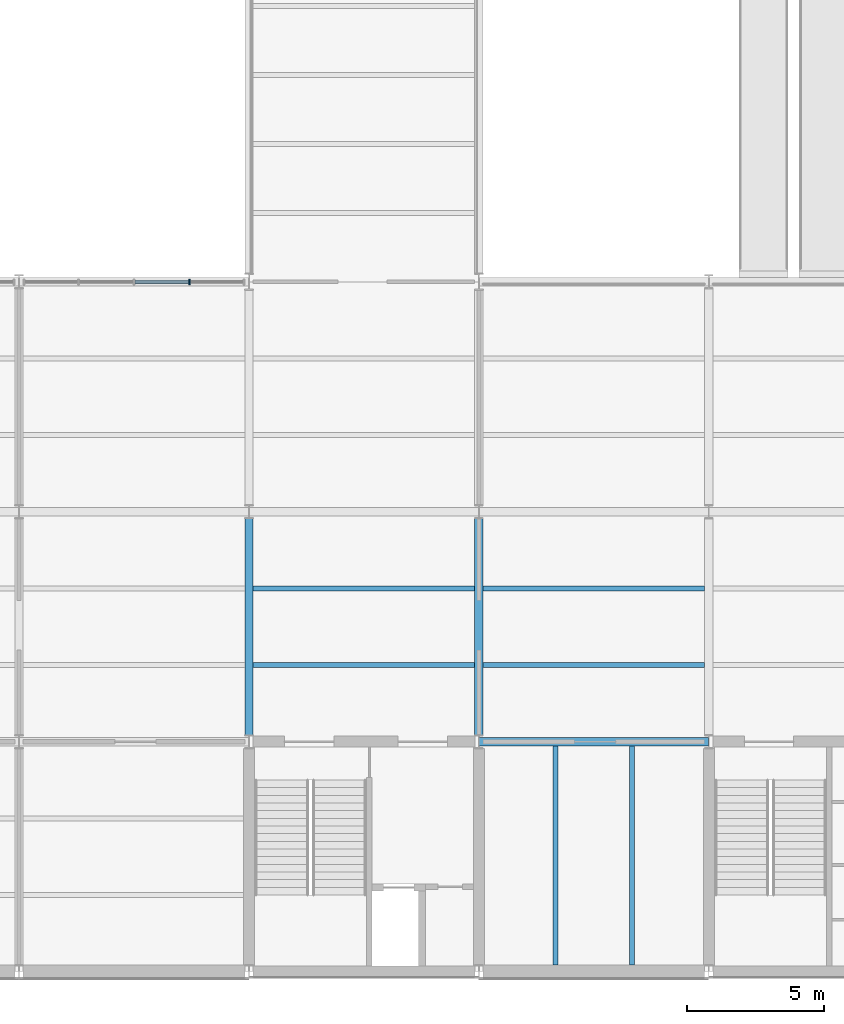
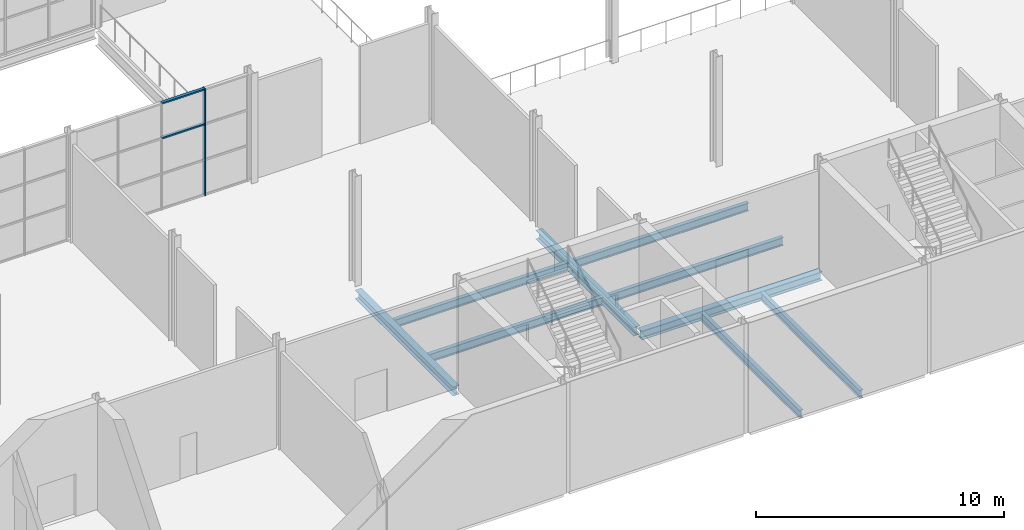
# One storey, part 13 of 64: 9 beams, 3 members, 1 element without a shape of its own.
"""IFC4 building model written with IfcOpenShell, lengths in metres."""

from ifc_helpers import new_model, si_unit, direction, frame, origin, origin_2d, place, context, subcontext, project, spatial, rectangle, i_section, extrude, material, layer, layer_set, material_profile, profile_set, type_object, element, aggregate, save


model = new_model("IFC4")

# Units and contexts
model_context = context("Model", 3, precision=1e-05, world=origin(), true_north=direction((0.0, 1.0)))
body_context = subcontext(model_context, "Body", "Model", "MODEL_VIEW")
ifc_project = project(units=[si_unit("LENGTHUNIT", "METRE"), si_unit("AREAUNIT", "SQUARE_METRE"), si_unit("VOLUMEUNIT", "CUBIC_METRE"), si_unit("PLANEANGLEUNIT", "RADIAN"), si_unit("MASSUNIT", "GRAM", prefix="KILO")], contexts=[model_context])

# Site, building, storey
site_placement = place(None, origin())
site = spatial("IfcSite", under=ifc_project, at=site_placement, CompositionType="ELEMENT")
building_placement = place(site_placement, origin())
building = spatial("IfcBuilding", under=site, at=building_placement, Name="Galleria Vessillo Department Store", CompositionType="ELEMENT")
storey_placement = place(building_placement, frame((0.0, 0.0, 6.0)))
storey = spatial("IfcBuildingStorey", under=building, at=storey_placement, Name="L01", CompositionType="ELEMENT", Elevation=6.0)

# Curtain wall, members
ifc_material_1 = material(Name="Aluminium and glass curtain wall", Category="aluminium")
ifc_layer = layer(ifc_material_1, 0.199951171875)
ifc_layer_set = layer_set([ifc_layer], Name="Aluminium and glass curtain wall")
curtain_wall_type = type_object("IfcCurtainWallType", Name="Arcade curtain wall CW1 2100 module", PredefinedType="NOTDEFINED", material=ifc_layer_set)
curtain_wall_placement = place(storey_placement, origin())
curtain_wall = element("IfcCurtainWall", 1, at=curtain_wall_placement, inside=storey, type_object=curtain_wall_type, Name="Arcade curtain wall CW1 2100 module AI-AW-S-L01-02", PredefinedType="NOTDEFINED")
ifc_material_2 = material(Name="Aluminium alloy 6063 T6", Category="aluminium")
ifc_material_profile_1 = material_profile(ifc_material_2, rectangle(XDim=0.199951171875, YDim=0.06005859375, at=origin_2d()), Name="AL 60x200")
ifc_profile_set_1 = profile_set([ifc_material_profile_1], Name="Aluminium alloy 6063 T6")
member_type_1 = type_object("IfcMemberType", Name="Aluminium mullion 60 x 200", PredefinedType="MULLION", material=ifc_profile_set_1)
member_1_placement = place(storey_placement, frame((31.423828125, 25.199951171875, 0.0), z_axis=(0.0, 0.0, 1.0), x_axis=(0.0, 1.0, 0.0)))
member_1 = element("IfcMember", 2, at=member_1_placement, type_object=member_type_1, Name="CW1 mullion 4", PredefinedType="MULLION", context=body_context, shape_type="SweptSolid", body=[
    extrude(rectangle(XDim=0.199951171875, YDim=0.06005859375, at=origin_2d()), origin(), (0.0, 0.0, 1.0), 5.25),
])
ifc_material_3 = material(Name="Aluminium alloy 6063 T6", Category="aluminium")
ifc_material_profile_2 = material_profile(ifc_material_3, rectangle(XDim=0.139892578125, YDim=0.070068359375, at=origin_2d()), Name="AL 70x140")
ifc_profile_set_2 = profile_set([ifc_material_profile_2], Name="Aluminium alloy 6063 T6")
member_type_2 = type_object("IfcMemberType", Name="Aluminium transom 70 x 140", PredefinedType="USERDEFINED", material=ifc_profile_set_2)
member_2_placement = place(storey_placement, frame((29.43017578125, 25.199951171875, 3.5), z_axis=(1.0, 0.0, 0.0), x_axis=(0.0, 1.0, 0.0)))
member_2 = element("IfcMember", 3, at=member_2_placement, type_object=member_type_2, Name="CW1 transom 3.3", ObjectType="TRANSOM", PredefinedType="USERDEFINED", context=body_context, shape_type="SweptSolid", body=[
    extrude(rectangle(XDim=0.139892578125, YDim=0.070068359375, at=origin_2d()), origin(), (0.0, 0.0, 1.0), 1.963623046875),
])
member_3_placement = place(storey_placement, frame((29.43017578125, 25.199951171875, 5.215087890625), z_axis=(1.0, 0.0, 0.0), x_axis=(0.0, 1.0, 0.0)))
member_3 = element("IfcMember", 4, at=member_3_placement, type_object=member_type_2, Name="CW1 transom 3.4", ObjectType="TRANSOM", PredefinedType="USERDEFINED", context=body_context, shape_type="SweptSolid", body=[
    extrude(rectangle(XDim=0.139892578125, YDim=0.070068359375, at=origin_2d()), origin(), (0.0, 0.0, 1.0), 1.963623046875),
])
aggregate(curtain_wall, [member_1, member_2, member_3])

# Beams
ifc_material_4 = material(Name="Steel S355 J2", Category="steel")
ifc_material_profile_3 = material_profile(ifc_material_4, i_section(OverallWidth=0.300048828125, OverallDepth=0.43994140625, WebThickness=0.011474609375, FlangeThickness=0.02099609375, FilletRadius=0.027099609375, at=origin_2d()), Name="HEA 450")
ifc_profile_set_3 = profile_set([ifc_material_profile_3], Name="Steel S355 J2")
beam_type_1 = type_object("IfcBeamType", Name="Floor girder HEA 450", PredefinedType="BEAM", material=ifc_profile_set_3)
beam_placement = place(storey_placement, frame((42.00732421875, 8.39990234375, -0.369873046875), z_axis=(1.0, 0.0, 0.0), x_axis=(0.0, 1.0, 0.0)))
element("IfcBeam", 5, at=beam_placement, inside=storey, type_object=beam_type_1, Name="S-BM-L01-GI-x8400-42007", PredefinedType="BEAM", context=body_context, shape_type="SweptSolid", body=[
    extrude(i_section(OverallWidth=0.300048828125, OverallDepth=0.43994140625, WebThickness=0.011474609375, FlangeThickness=0.02099609375, FilletRadius=0.027099609375, at=origin_2d()), origin(), (0.0, 0.0, 1.0), 8.38525390625),
])
for number, where, z_axis, x_axis, name in (
    (6, (33.60009765625, 8.650146484375, -0.369873046875), (0.0, 1.0, 0.0), (-1.0, 0.0, 0.0), "S-BM-L01-GI-y33600-8650"),
    (7, (42.0, 8.650146484375, -0.369873046875), (0.0, 1.0, 0.0), (-1.0, 0.0, 0.0), "S-BM-L01-GI-y42000-8650"),
):
    element("IfcBeam", number, at=place(storey_placement, frame(where, z_axis=z_axis, x_axis=x_axis)), inside=storey, type_object=beam_type_1, Name=name, PredefinedType="BEAM", context=body_context, shape_type="SweptSolid", body=[
        extrude(i_section(OverallWidth=0.300048828125, OverallDepth=0.43994140625, WebThickness=0.011474609375, FlangeThickness=0.02099609375, FilletRadius=0.027099609375, at=origin_2d()), origin(), (0.0, 0.0, 1.0), 7.899658203125),
    ])
ifc_material_5 = material(Name="Steel S355 J2", Category="steel")
ifc_material_profile_4 = material_profile(ifc_material_5, i_section(OverallWidth=0.179931640625, OverallDepth=0.39990234375, WebThickness=0.008544921875, FlangeThickness=0.013427734375, FilletRadius=0.02099609375, at=origin_2d()), Name="IPE 400")
ifc_profile_set_4 = profile_set([ifc_material_profile_4], Name="Steel S355 J2")
beam_type_2 = type_object("IfcBeamType", Name="Floor joist IPE 400", PredefinedType="JOIST", material=ifc_profile_set_4)
for number, where, z_axis, x_axis, name in (
    (8, (33.750244140625, 11.199951171875, -0.349853515625), (1.0, 0.0, 0.0), (0.0, 1.0, 0.0), "S-BM-L01-JO-x11200-33750"),
    (9, (33.750244140625, 14.0, -0.349853515625), (1.0, 0.0, 0.0), (0.0, 1.0, 0.0), "S-BM-L01-JO-x14000-33750"),
):
    element("IfcBeam", number, at=place(storey_placement, frame(where, z_axis=z_axis, x_axis=x_axis)), inside=storey, type_object=beam_type_2, Name=name, PredefinedType="JOIST", context=body_context, shape_type="SweptSolid", body=[
        extrude(i_section(OverallWidth=0.179931640625, OverallDepth=0.39990234375, WebThickness=0.008544921875, FlangeThickness=0.013427734375, FilletRadius=0.02099609375, at=origin_2d()), origin(), (0.0, 0.0, 1.0), 8.099609375),
    ])
for number, where, z_axis, x_axis, name in (
    (10, (44.800048828125, 0.250244140625, -0.349853515625), (0.0, 1.0, 0.0), (-1.0, 0.0, 0.0), "S-BM-L01-JO-y44800-250"),
    (11, (47.60009765625, 0.250244140625, -0.349853515625), (0.0, 1.0, 0.0), (-1.0, 0.0, 0.0), "S-BM-L01-JO-y47600-250"),
):
    element("IfcBeam", number, at=place(storey_placement, frame(where, z_axis=z_axis, x_axis=x_axis)), inside=storey, type_object=beam_type_2, Name=name, PredefinedType="JOIST", context=body_context, shape_type="SweptSolid", body=[
        extrude(i_section(OverallWidth=0.179931640625, OverallDepth=0.39990234375, WebThickness=0.008544921875, FlangeThickness=0.013427734375, FilletRadius=0.02099609375, at=origin_2d()), origin(), (0.0, 0.0, 1.0), 7.99951171875),
    ])
for number, where, z_axis, x_axis, name in (
    (12, (42.150146484375, 11.199951171875, -0.349853515625), (1.0, 0.0, 0.0), (0.0, 1.0, 0.0), "S-BM-L01-JO-x11200-42150"),
    (13, (42.150146484375, 14.0, -0.349853515625), (1.0, 0.0, 0.0), (0.0, 1.0, 0.0), "S-BM-L01-JO-x14000-42150"),
):
    element("IfcBeam", number, at=place(storey_placement, frame(where, z_axis=z_axis, x_axis=x_axis)), inside=storey, type_object=beam_type_2, Name=name, PredefinedType="JOIST", context=body_context, shape_type="SweptSolid", body=[
        extrude(i_section(OverallWidth=0.179931640625, OverallDepth=0.39990234375, WebThickness=0.008544921875, FlangeThickness=0.013427734375, FilletRadius=0.02099609375, at=origin_2d()), origin(), (0.0, 0.0, 1.0), 8.099609375),
    ])

save(model, "model.ifc")
